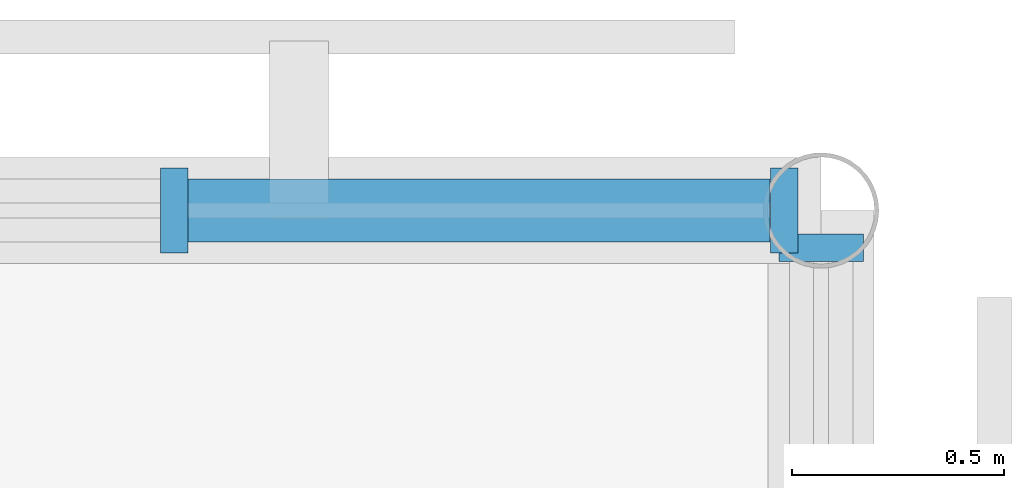
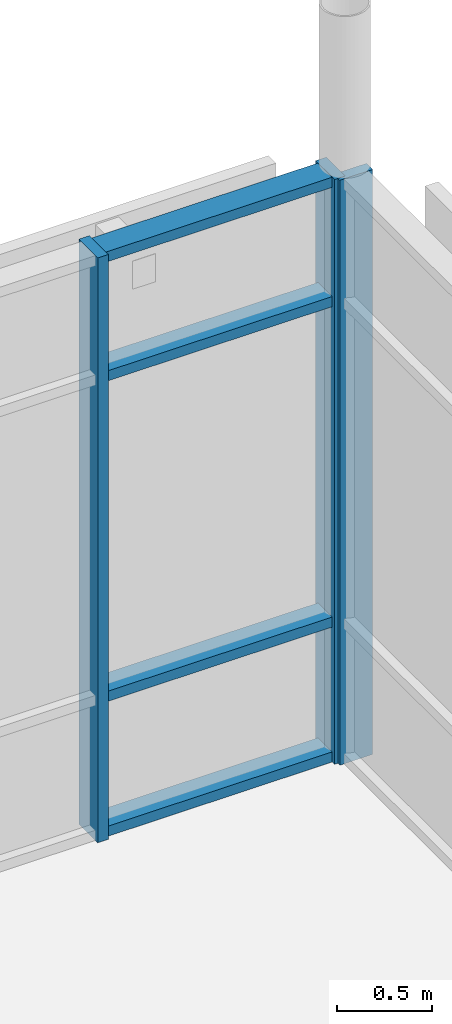
# One storey, part 35 of 48: 7 members, 2 elements without a shape of their own.
"""IFC4 building model written with IfcOpenShell, lengths in metres."""

from ifc_helpers import new_model, si_unit, direction, frame, origin, origin_2d, place, context, subcontext, project, spatial, rectangle, extrude, material, layer, layer_set, material_profile, profile_set, type_object, element, aggregate, save


model = new_model("IFC4")

# Units and contexts
model_context = context("Model", 3, precision=1e-05, world=origin(), true_north=direction((0.0, 1.0)))
body_context = subcontext(model_context, "Body", "Model", "MODEL_VIEW")
ifc_project = project(units=[si_unit("LENGTHUNIT", "METRE"), si_unit("AREAUNIT", "SQUARE_METRE"), si_unit("VOLUMEUNIT", "CUBIC_METRE"), si_unit("PLANEANGLEUNIT", "RADIAN"), si_unit("MASSUNIT", "GRAM", prefix="KILO")], contexts=[model_context])

# Site, building, storey
site_placement = place(None, origin())
site = spatial("IfcSite", under=ifc_project, at=site_placement, CompositionType="ELEMENT")
building_placement = place(site_placement, origin())
building = spatial("IfcBuilding", under=site, at=building_placement, Name="Mirzam Square Science Centre", CompositionType="ELEMENT")
storey_placement = place(building_placement, frame((0.0, 0.0, 20.39990234375)))
storey = spatial("IfcBuildingStorey", under=building, at=storey_placement, Name="L04", CompositionType="ELEMENT", Elevation=20.39990234375)

# Curtain wall, members
ifc_material_1 = material(Name="Anodised Aluminium and Low-E Solar Glass", Category="aluminium")
ifc_layer_1 = layer(ifc_material_1, 0.219970703125)
ifc_layer_set_1 = layer_set([ifc_layer_1], Name="CW-OBS-A")
curtain_wall_type_1 = type_object("IfcCurtainWallType", Name="CW-OBS-A", PredefinedType="USERDEFINED", material=ifc_layer_set_1)
curtain_wall_1_placement = place(storey_placement, origin())
curtain_wall_1 = element("IfcCurtainWall", 1, at=curtain_wall_1_placement, inside=storey, type_object=curtain_wall_type_1, Name="L04 unitised curtain wall 157", ObjectType="UNITISED CURTAIN WALL", PredefinedType="USERDEFINED")
ifc_material_2 = material(Name="Anodised Architectural Aluminium 6063-T6", Category="aluminium")
ifc_material_profile_1 = material_profile(ifc_material_2, rectangle(XDim=0.06494140625, YDim=0.199951171875, at=origin_2d()), Name="ALU-MULL-200x65x5")
ifc_profile_set_1 = profile_set([ifc_material_profile_1], Name="Anodised Architectural Aluminium 6063-T6")
member_type_1 = type_object("IfcMemberType", Name="CWM-200", PredefinedType="MULLION", material=ifc_profile_set_1)
member_1_placement = place(storey_placement, frame((137.91259765625, 111.60009765625, 0.0), z_axis=(0.0, 0.0, 1.0), x_axis=(-1.0, 0.0, 0.0)))
member_1 = element("IfcMember", 2, at=member_1_placement, type_object=member_type_1, Name="CW-07 mullion 1", PredefinedType="MULLION", context=body_context, shape_type="SweptSolid", body=[
    extrude(rectangle(XDim=0.06494140625, YDim=0.199951171875, at=origin_2d()), origin(), (0.0, 0.0, 1.0), 3.760009765625),
])
member_2_placement = place(storey_placement, frame((136.472412109375, 111.60009765625, 0.0), z_axis=(0.0, 0.0, 1.0), x_axis=(-1.0, 0.0, 0.0)))
member_2 = element("IfcMember", 3, at=member_2_placement, type_object=member_type_1, Name="CW-07 mullion 2", PredefinedType="MULLION", context=body_context, shape_type="SweptSolid", body=[
    extrude(rectangle(XDim=0.06494140625, YDim=0.199951171875, at=origin_2d()), origin(), (0.0, 0.0, 1.0), 3.760009765625),
])

# Curtain wall, member
ifc_layer_2 = layer(ifc_material_1, 0.179931640625)
ifc_layer_set_2 = layer_set([ifc_layer_2], Name="CW-LINK-A")
curtain_wall_type_2 = type_object("IfcCurtainWallType", Name="CW-LINK-A", PredefinedType="USERDEFINED", material=ifc_layer_set_2)
curtain_wall_2_placement = place(storey_placement, origin())
curtain_wall_2 = element("IfcCurtainWall", 4, at=curtain_wall_2_placement, inside=storey, type_object=curtain_wall_type_2, Name="L04 unitised curtain wall 165", ObjectType="UNITISED CURTAIN WALL", PredefinedType="USERDEFINED")
member_3_placement = place(storey_placement, frame((138.0, 111.512451171875, 0.0), z_axis=(0.0, 0.0, 1.0), x_axis=(0.0, 1.0, 0.0)))
member_3 = element("IfcMember", 5, at=member_3_placement, type_object=member_type_1, Name="CW-08 mullion 5", PredefinedType="MULLION", context=body_context, shape_type="SweptSolid", body=[
    extrude(rectangle(XDim=0.06494140625, YDim=0.199951171875, at=origin_2d()), origin(), (0.0, 0.0, 1.0), 3.760009765625),
])
aggregate(curtain_wall_2, [member_3])

# Member
ifc_material_profile_2 = material_profile(ifc_material_2, rectangle(XDim=0.14990234375, YDim=0.06494140625, at=origin_2d()), Name="ALU-TRAN-150x65x4")
ifc_profile_set_2 = profile_set([ifc_material_profile_2], Name="Anodised Architectural Aluminium 6063-T6")
member_type_2 = type_object("IfcMemberType", Name="CWT-150", PredefinedType="USERDEFINED", material=ifc_profile_set_2)
member_4_placement = place(storey_placement, frame((137.8798828125, 111.60009765625, 0.03271484375), z_axis=(-1.0, 0.0, 0.0), x_axis=(0.0, -1.0, 0.0)))
member_4 = element("IfcMember", 6, at=member_4_placement, type_object=member_type_2, Name="CW-07 transom 1.1", ObjectType="TRANSOM", PredefinedType="USERDEFINED", context=body_context, shape_type="SweptSolid", body=[
    extrude(rectangle(XDim=0.14990234375, YDim=0.06494140625, at=origin_2d()), origin(), (0.0, 0.0, 1.0), 1.375),
])

member_5_placement = place(storey_placement, frame((137.8798828125, 111.60009765625, 0.900146484375), z_axis=(-1.0, 0.0, 0.0), x_axis=(0.0, -1.0, 0.0)))
member_5 = element("IfcMember", 7, at=member_5_placement, type_object=member_type_2, Name="CW-07 transom 1.2", ObjectType="TRANSOM", PredefinedType="USERDEFINED", context=body_context, shape_type="SweptSolid", body=[
    extrude(rectangle(XDim=0.14990234375, YDim=0.06494140625, at=origin_2d()), origin(), (0.0, 0.0, 1.0), 1.375),
])

member_6_placement = place(storey_placement, frame((137.8798828125, 111.60009765625, 2.960205078125), z_axis=(-1.0, 0.0, 0.0), x_axis=(0.0, -1.0, 0.0)))
member_6 = element("IfcMember", 8, at=member_6_placement, type_object=member_type_2, Name="CW-07 transom 1.3", ObjectType="TRANSOM", PredefinedType="USERDEFINED", context=body_context, shape_type="SweptSolid", body=[
    extrude(rectangle(XDim=0.14990234375, YDim=0.06494140625, at=origin_2d()), origin(), (0.0, 0.0, 1.0), 1.375),
])

member_7_placement = place(storey_placement, frame((137.8798828125, 111.60009765625, 3.7275390625), z_axis=(-1.0, 0.0, 0.0), x_axis=(0.0, -1.0, 0.0)))
member_7 = element("IfcMember", 9, at=member_7_placement, type_object=member_type_2, Name="CW-07 transom 1.4", ObjectType="TRANSOM", PredefinedType="USERDEFINED", context=body_context, shape_type="SweptSolid", body=[
    extrude(rectangle(XDim=0.14990234375, YDim=0.06494140625, at=origin_2d()), origin(), (0.0, 0.0, 1.0), 1.375),
])

aggregate(curtain_wall_1, [member_1, member_2, member_4, member_5, member_6, member_7])

save(model, "model.ifc")
